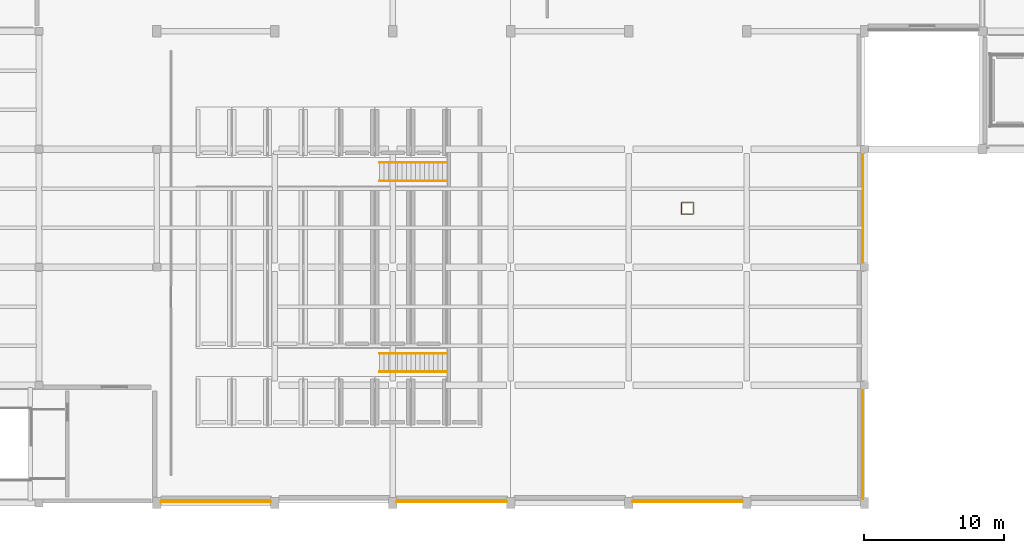
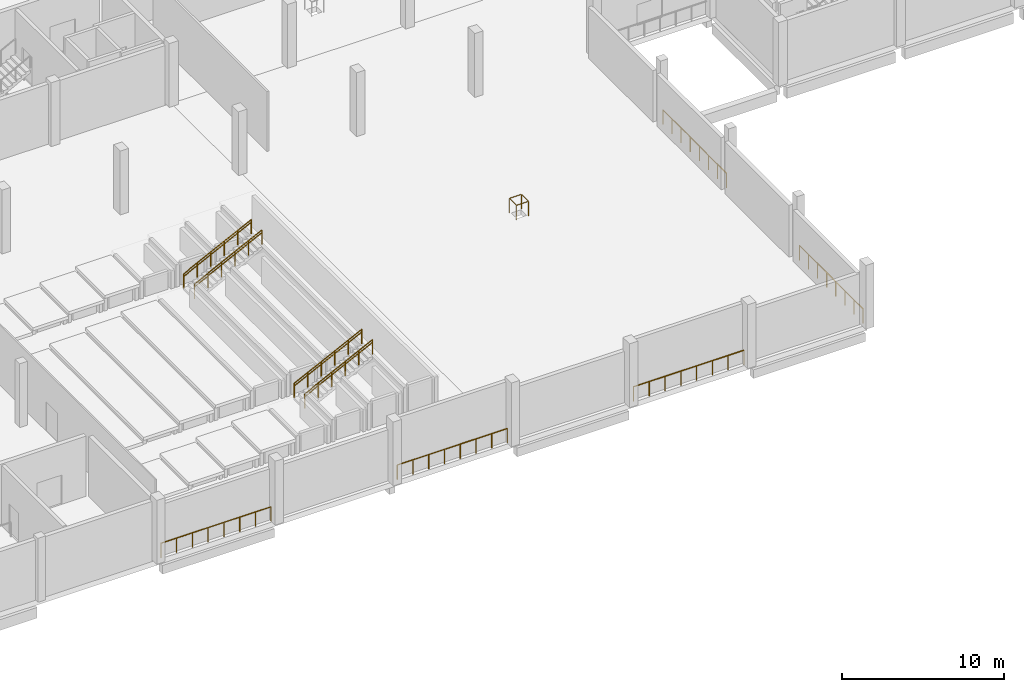
# One storey, part 51 of 63: 14 railings.
"""IFC4 building model written with IfcOpenShell, lengths in metres."""

import ifcopenshell
import ifcopenshell.guid

model = None  # the IFC model being written
_history = None  # IfcOwnerHistory: only IFC2X3 demands one
_inside = {}  # id of a spatial element -> (the spatial element, [elements in it])
_under = {}  # id of a project, library or spatial element -> (it, [spatial elements below it])
_declared = {}  # id of a project -> (the project, [libraries it declares])
_typed = {}  # id of a type object -> (the type object, [elements of that type])
_made_of = {}  # id of a material, layer set ... -> (it, [elements and type objects made of it])


def new_model(schema):
    """Start an empty IFC model of exactly this schema.

    Asked for "IFC4X3", IfcOpenShell would pick the latest addendum, in which some entities
    have other attributes; the version numbers below select the first issue.
    IFC2X3 requires an IfcOwnerHistory on every rooted entity: one is made here for all.
    """
    global model, _history
    if schema == "IFC4X3":
        model = ifcopenshell.file(schema_version=(4, 3, 0, 0))
    else:
        model = ifcopenshell.file(schema=schema)
    _inside.clear()
    _under.clear()
    _declared.clear()
    _typed.clear()
    _made_of.clear()
    _history = None
    if model.schema == "IFC2X3":
        org = make("IfcOrganization", Name="unknown")
        user = make(
            "IfcPersonAndOrganization",
            ThePerson=make("IfcPerson", FamilyName="unknown"),
            TheOrganization=org,
        )
        app = make(
            "IfcApplication",
            ApplicationDeveloper=org,
            Version="unknown",
            ApplicationFullName="unknown",
            ApplicationIdentifier="unknown",
        )
        _history = make(
            "IfcOwnerHistory",
            OwningUser=user,
            OwningApplication=app,
            ChangeAction="ADDED",
            CreationDate=0,
        )
    return model


def make(cls, **values):
    """One entity of the class cls with the attributes given. An attribute that is None is left unset."""
    return model.create_entity(
        cls, **{name: value for name, value in values.items() if value is not None}
    )


def rooted(cls, **values):
    """An entity with a GlobalId (a new one), such as an element, a storey or a relation."""
    return make(cls, GlobalId=ifcopenshell.guid.new(), OwnerHistory=_history, **values)


def si_unit(unit_type, name, prefix=None):
    """IfcSIUnit, for example si_unit("LENGTHUNIT", "METRE", prefix="MILLI")."""
    return make("IfcSIUnit", UnitType=unit_type, Prefix=prefix, Name=name)


def derived_unit(unit_type, elements):
    """IfcDerivedUnit: a product of units, each with its exponent."""
    return make(
        "IfcDerivedUnit",
        Elements=[
            make("IfcDerivedUnitElement", Unit=unit, Exponent=power)
            for unit, power in elements
        ],
        UnitType=unit_type,
    )


def assignment(units):
    """IfcUnitAssignment: the units of a project."""
    return None if units is None else make("IfcUnitAssignment", Units=units)


def point(xyz):
    """IfcCartesianPoint."""
    return None if xyz is None else make("IfcCartesianPoint", Coordinates=xyz)


def direction(xyz):
    """IfcDirection."""
    return None if xyz is None else make("IfcDirection", DirectionRatios=xyz)


def frame(location, z_axis=None, x_axis=None):
    """IfcAxis2Placement3D, a coordinate frame: its origin and axes. An axis left out is left unset."""
    return make(
        "IfcAxis2Placement3D",
        Location=point(location),
        Axis=direction(z_axis),
        RefDirection=direction(x_axis),
    )


def frame_2d(location, x_axis=None):
    """IfcAxis2Placement2D, a coordinate frame in the plane: its origin and x axis."""
    return make(
        "IfcAxis2Placement2D", Location=point(location), RefDirection=direction(x_axis)
    )


def origin():
    """The frame at (0, 0, 0) with its axes left unset."""
    return frame((0.0, 0.0, 0.0))


def origin_2d():
    """The frame at (0, 0) in the plane with its x axis left unset."""
    return frame_2d((0.0, 0.0))


def place(relative_to, where):
    """IfcLocalPlacement: puts the frame where relative to a parent placement (None: the world)."""
    return make(
        "IfcLocalPlacement", PlacementRelTo=relative_to, RelativePlacement=where
    )


def context(
    kind, dimensions, precision=None, world=None, true_north=None, identifier=None
):
    """IfcGeometricRepresentationContext, for example the 3D "Model" context."""
    return make(
        "IfcGeometricRepresentationContext",
        ContextIdentifier=identifier,
        ContextType=kind,
        CoordinateSpaceDimension=dimensions,
        Precision=precision,
        WorldCoordinateSystem=world,
        TrueNorth=true_north,
    )


def subcontext(parent, identifier, kind, view, scale=None):
    """IfcGeometricRepresentationSubContext, for example "Body" below "Model"."""
    return make(
        "IfcGeometricRepresentationSubContext",
        ContextIdentifier=identifier,
        ContextType=kind,
        ParentContext=parent,
        TargetScale=scale,
        TargetView=view,
    )


def project(units=None, contexts=None):
    """IfcProject with its units and contexts."""
    return rooted(
        "IfcProject",
        Name="project",
        RepresentationContexts=contexts,
        UnitsInContext=assignment(units),
    )


def spatial(cls, under=None, at=None, **own):
    """A site, building, storey or space (cls), placed at a placement, below another one or the project."""
    s = rooted(cls, ObjectPlacement=at, **own)
    if under is not None:
        _under.setdefault(under.id(), (under, []))[1].append(s)
    return s


def profile(cls, at=None, kind="AREA", **sizes):
    """A parametric profile (cls). Its sizes go by their IFC names, for example OverallWidth=200.0."""
    return make(cls, ProfileType=kind, Position=at, **sizes)


def circle(**sizes):
    """IfcCircleProfileDef."""
    return profile("IfcCircleProfileDef", **sizes)


def extrude(swept, where, along, depth):
    """IfcExtrudedAreaSolid: the profile swept, set in the frame where, extruded along a direction by depth."""
    return make(
        "IfcExtrudedAreaSolid",
        SweptArea=swept,
        Position=where,
        ExtrudedDirection=direction(along),
        Depth=depth,
    )


def shape(context_of_items, identifier, shape_type, items):
    """IfcShapeRepresentation: the items that make up one representation, for example the "Body"."""
    return make(
        "IfcShapeRepresentation",
        ContextOfItems=context_of_items,
        RepresentationIdentifier=identifier,
        RepresentationType=shape_type,
        Items=items,
    )


def material(Name=None, Category=None):
    """IfcMaterial."""
    return make("IfcMaterial", Name=Name, Category=Category)


def made_of(thing, what):
    """Note that an element or type object is made of a material, layer set ...; save() writes the relation."""
    if what is not None:
        _made_of.setdefault(what.id(), (what, []))[1].append(thing)
    return thing


def type_object(cls, material=None, **own):
    """A type object (cls), such as IfcWallType, which elements share."""
    return made_of(rooted(cls, **own), material)


def element(
    cls,
    number,
    at=None,
    inside=None,
    cuts=None,
    type_object=None,
    material=None,
    context=None,
    identifier="Body",
    shape_type=None,
    held_by="IfcProductDefinitionShape",
    body=None,
    shapes=None,
    **own,
):
    """One element of the class cls, such as IfcWall. Its Tag is "e" and its number.

    at: its placement. inside: the storey or other place that contains it. cuts: it is an
    opening in that element (IfcRelVoidsElement). A single representation is given by context,
    identifier, shape_type and body (its items); several are given by shapes. held_by: the class
    of the entity that holds the representations. save() writes the other relations.
    """
    e = rooted(cls, Tag="e%d" % number, ObjectPlacement=at, **own)
    if body is not None:
        shapes = [shape(context, identifier, shape_type, body)]
    if shapes is not None:
        e.Representation = make(held_by, Representations=shapes)
    if inside is not None:
        _inside.setdefault(inside.id(), (inside, []))[1].append(e)
    if cuts is not None:
        rooted(
            "IfcRelVoidsElement", RelatingBuildingElement=cuts, RelatedOpeningElement=e
        )
    if type_object is not None:
        _typed.setdefault(type_object.id(), (type_object, []))[1].append(e)
    return made_of(e, material)


def aggregate(whole, parts):
    """IfcRelAggregates: a whole, such as a stair, and the parts it consists of."""
    return rooted("IfcRelAggregates", RelatingObject=whole, RelatedObjects=parts)


def save(model, path):
    """Write the relations noted so far, then the file.

    IfcRelAggregates (storeys below a building ...), IfcRelContainedInSpatialStructure (elements
    in a storey), IfcRelDefinesByType, IfcRelAssociatesMaterial and IfcRelDeclares: one each for
    every whole, place, type object, material and project.
    """
    for whole, parts in _under.values():
        aggregate(whole, parts)
    for where, things in _inside.values():
        rooted(
            "IfcRelContainedInSpatialStructure",
            RelatedElements=things,
            RelatingStructure=where,
        )
    for kind, things in _typed.values():
        rooted("IfcRelDefinesByType", RelatedObjects=things, RelatingType=kind)
    for what, things in _made_of.values():
        rooted("IfcRelAssociatesMaterial", RelatedObjects=things, RelatingMaterial=what)
    for by, libraries in _declared.values():
        rooted("IfcRelDeclares", RelatingContext=by, RelatedDefinitions=libraries)
    model.write(path)


model = new_model("IFC4")

# Units and contexts
model_context = context("Model", 3, precision=1e-05, world=origin(), true_north=direction((0.0, 1.0)))
body_context = subcontext(model_context, "Body", "Model", "MODEL_VIEW")
ifc_project = project(units=[si_unit("LENGTHUNIT", "METRE"), si_unit("AREAUNIT", "SQUARE_METRE"), si_unit("VOLUMEUNIT", "CUBIC_METRE"), si_unit("PLANEANGLEUNIT", "RADIAN"), si_unit("MASSUNIT", "GRAM", prefix="KILO"), derived_unit("THERMALTRANSMITTANCEUNIT", [(si_unit("POWERUNIT", "WATT"), 1), (si_unit("LENGTHUNIT", "METRE"), -2), (si_unit("THERMODYNAMICTEMPERATUREUNIT", "KELVIN"), -1)])], contexts=[model_context])

# Site, building, storey
site_placement = place(None, origin())
site = spatial("IfcSite", under=ifc_project, at=site_placement, CompositionType="ELEMENT")
building_placement = place(site_placement, origin())
building = spatial("IfcBuilding", under=site, at=building_placement, Name="Elbkamm Science Centre", CompositionType="ELEMENT")
storey_placement = place(building_placement, frame((0.0, 0.0, 5.10009765625)))
storey = spatial("IfcBuildingStorey", under=building, at=storey_placement, Name="L01", CompositionType="ELEMENT", Elevation=5.10009765625)

# Railings
ifc_material = material(Name="Stainless steel EN 1.4401", Category="steel")
railing_type_1 = type_object("IfcRailingType", Name="RAIL-EXT-GUARD-1100", PredefinedType="GUARDRAIL", material=ifc_material)
railing_1_placement = place(storey_placement, frame((117.5, 24.919921875, 0.0)))
element("IfcRailing", 1, at=railing_1_placement, inside=storey, type_object=railing_type_1, Name="L01 Slab Edge Perimeter Guard 034", PredefinedType="GUARDRAIL", context=body_context, shape_type="SweptSolid", body=[
    extrude(circle(Radius=0.02392578125, at=origin_2d()), frame((0.0, 0.0, 1.078125), z_axis=(0.0, -1.0, 0.0), x_axis=(1.0, 0.0, 0.0)), (0.0, 0.0, 1.0), 7.83984375),
    extrude(circle(Radius=0.02001953125, at=origin_2d()), origin(), (0.0, 0.0, 1.0), 1.048095703125),
    extrude(circle(Radius=0.02001953125, at=origin_2d()), frame((0.0, -1.119873046875, 0.0)), (0.0, 0.0, 1.0), 1.048095703125),
    extrude(circle(Radius=0.02001953125, at=origin_2d()), frame((0.0, -2.239990234375, 0.0)), (0.0, 0.0, 1.0), 1.048095703125),
    extrude(circle(Radius=0.02001953125, at=origin_2d()), frame((0.0, -3.35986328125, 0.0)), (0.0, 0.0, 1.0), 1.048095703125),
    extrude(circle(Radius=0.02001953125, at=origin_2d()), frame((0.0, -4.47998046875, 0.0)), (0.0, 0.0, 1.0), 1.048095703125),
    extrude(circle(Radius=0.02001953125, at=origin_2d()), frame((0.0, -5.599853515625, 0.0)), (0.0, 0.0, 1.0), 1.048095703125),
    extrude(circle(Radius=0.02001953125, at=origin_2d()), frame((0.0, -6.719970703125, 0.0)), (0.0, 0.0, 1.0), 1.048095703125),
    extrude(circle(Radius=0.02001953125, at=origin_2d()), frame((0.0, -7.83984375, 0.0)), (0.0, 0.0, 1.0), 1.048095703125),
])
railing_2_placement = place(storey_placement, frame((117.5, 8.1201171875, 0.0)))
element("IfcRailing", 2, at=railing_2_placement, inside=storey, type_object=railing_type_1, Name="L01 Slab Edge Perimeter Guard 035", PredefinedType="GUARDRAIL", context=body_context, shape_type="SweptSolid", body=[
    extrude(circle(Radius=0.02392578125, at=origin_2d()), frame((0.0, 0.0, 1.078125), z_axis=(0.0, -1.0, 0.0), x_axis=(1.0, 0.0, 0.0)), (0.0, 0.0, 1.0), 7.840087890625),
    extrude(circle(Radius=0.02001953125, at=origin_2d()), origin(), (0.0, 0.0, 1.0), 1.048095703125),
    extrude(circle(Radius=0.02001953125, at=origin_2d()), frame((0.0, -1.1201171875, 0.0)), (0.0, 0.0, 1.0), 1.048095703125),
    extrude(circle(Radius=0.02001953125, at=origin_2d()), frame((0.0, -2.239990234375, 0.0)), (0.0, 0.0, 1.0), 1.048095703125),
    extrude(circle(Radius=0.02001953125, at=origin_2d()), frame((0.0, -3.360107421875, 0.0)), (0.0, 0.0, 1.0), 1.048095703125),
    extrude(circle(Radius=0.02001953125, at=origin_2d()), frame((0.0, -4.47998046875, 0.0)), (0.0, 0.0, 1.0), 1.048095703125),
    extrude(circle(Radius=0.02001953125, at=origin_2d()), frame((0.0, -5.60009765625, 0.0)), (0.0, 0.0, 1.0), 1.048095703125),
    extrude(circle(Radius=0.02001953125, at=origin_2d()), frame((0.0, -6.719970703125, 0.0)), (0.0, 0.0, 1.0), 1.048095703125),
    extrude(circle(Radius=0.02001953125, at=origin_2d()), frame((0.0, -7.840087890625, 0.0)), (0.0, 0.0, 1.0), 1.048095703125),
])
railing_3_placement = place(storey_placement, frame((108.919921875, 0.10009765625, 0.0)))
element("IfcRailing", 3, at=railing_3_placement, inside=storey, type_object=railing_type_1, Name="L01 Slab Edge Perimeter Guard 036", PredefinedType="GUARDRAIL", context=body_context, shape_type="SweptSolid", body=[
    extrude(circle(Radius=0.02392578125, at=origin_2d()), frame((0.0, 0.0, 1.078125), z_axis=(-1.0, 0.0, 0.0), x_axis=(0.0, -1.0, 0.0)), (0.0, 0.0, 1.0), 7.83984375),
    extrude(circle(Radius=0.02001953125, at=origin_2d()), origin(), (0.0, 0.0, 1.0), 1.048095703125),
    extrude(circle(Radius=0.02001953125, at=origin_2d()), frame((-1.119873046875, 0.0, 0.0)), (0.0, 0.0, 1.0), 1.048095703125),
    extrude(circle(Radius=0.02001953125, at=origin_2d()), frame((-2.239990234375, 0.0, 0.0)), (0.0, 0.0, 1.0), 1.048095703125),
    extrude(circle(Radius=0.02001953125, at=origin_2d()), frame((-3.35986328125, 0.0, 0.0)), (0.0, 0.0, 1.0), 1.048095703125),
    extrude(circle(Radius=0.02001953125, at=origin_2d()), frame((-4.47998046875, 0.0, 0.0)), (0.0, 0.0, 1.0), 1.048095703125),
    extrude(circle(Radius=0.02001953125, at=origin_2d()), frame((-5.599853515625, 0.0, 0.0)), (0.0, 0.0, 1.0), 1.048095703125),
    extrude(circle(Radius=0.02001953125, at=origin_2d()), frame((-6.719970703125, 0.0, 0.0)), (0.0, 0.0, 1.0), 1.048095703125),
    extrude(circle(Radius=0.02001953125, at=origin_2d()), frame((-7.83984375, 0.0, 0.0)), (0.0, 0.0, 1.0), 1.048095703125),
])
for number, where, name in (
    (4, (92.1201171875, 0.10009765625, 0.0), "L01 Slab Edge Perimeter Guard 037"),
    (5, (75.320068359375, 0.10009765625, 0.0), "L01 Slab Edge Perimeter Guard 038"),
):
    element("IfcRailing", number, at=place(storey_placement, frame(where)), inside=storey, type_object=railing_type_1, Name=name, PredefinedType="GUARDRAIL", context=body_context, shape_type="SweptSolid", body=[
        extrude(circle(Radius=0.02392578125, at=origin_2d()), frame((0.0, 0.0, 1.078125), z_axis=(-1.0, 0.0, 0.0), x_axis=(0.0, -1.0, 0.0)), (0.0, 0.0, 1.0), 7.840087890625),
        extrude(circle(Radius=0.02001953125, at=origin_2d()), origin(), (0.0, 0.0, 1.0), 1.048095703125),
        extrude(circle(Radius=0.02001953125, at=origin_2d()), frame((-1.1201171875, 0.0, 0.0)), (0.0, 0.0, 1.0), 1.048095703125),
        extrude(circle(Radius=0.02001953125, at=origin_2d()), frame((-2.239990234375, 0.0, 0.0)), (0.0, 0.0, 1.0), 1.048095703125),
        extrude(circle(Radius=0.02001953125, at=origin_2d()), frame((-3.360107421875, 0.0, 0.0)), (0.0, 0.0, 1.0), 1.048095703125),
        extrude(circle(Radius=0.02001953125, at=origin_2d()), frame((-4.47998046875, 0.0, 0.0)), (0.0, 0.0, 1.0), 1.048095703125),
        extrude(circle(Radius=0.02001953125, at=origin_2d()), frame((-5.60009765625, 0.0, 0.0)), (0.0, 0.0, 1.0), 1.048095703125),
        extrude(circle(Radius=0.02001953125, at=origin_2d()), frame((-6.719970703125, 0.0, 0.0)), (0.0, 0.0, 1.0), 1.048095703125),
        extrude(circle(Radius=0.02001953125, at=origin_2d()), frame((-7.840087890625, 0.0, 0.0)), (0.0, 0.0, 1.0), 1.048095703125),
    ])
railing_type_2 = type_object("IfcRailingType", Name="RAIL-GUARD-1100", PredefinedType="GUARDRAIL", material=ifc_material)
for number, where, name in (
    (6, (83.050048828125, 9.35009765625, 0.159912109375), "Theatre Aisle Stair 1 Guard L"),
    (7, (83.050048828125, 10.64990234375, 0.159912109375), "Theatre Aisle Stair 1 Guard R"),
    (8, (83.050048828125, 22.949951171875, 0.159912109375), "Theatre Aisle Stair 2 Guard L"),
    (9, (83.050048828125, 24.25, 0.159912109375), "Theatre Aisle Stair 2 Guard R"),
):
    element("IfcRailing", number, at=place(storey_placement, frame(where)), inside=storey, type_object=railing_type_2, Name=name, PredefinedType="GUARDRAIL", context=body_context, shape_type="SweptSolid", body=[
        extrude(circle(Radius=0.02392578125, at=origin_2d()), frame((0.0, 0.0, 1.078125), z_axis=(0.894436289399, 0.0, 0.44719539824), x_axis=(0.0, 1.0, 0.0)), (0.0, 0.0, 1.0), 5.366455078125),
        extrude(circle(Radius=0.02001953125, at=origin_2d()), origin(), (0.0, 0.0, 1.0), 1.048095703125),
        extrude(circle(Radius=0.02001953125, at=origin_2d()), frame((0.9599609375, 0.0, 0.47998046875)), (0.0, 0.0, 1.0), 1.048095703125),
        extrude(circle(Radius=0.02001953125, at=origin_2d()), frame((1.919921875, 0.0, 0.9599609375)), (0.0, 0.0, 1.0), 1.048095703125),
        extrude(circle(Radius=0.02001953125, at=origin_2d()), frame((2.880126953125, 0.0, 1.43994140625)), (0.0, 0.0, 1.0), 1.048095703125),
        extrude(circle(Radius=0.02001953125, at=origin_2d()), frame((3.840087890625, 0.0, 1.919921875)), (0.0, 0.0, 1.0), 1.048095703125),
        extrude(circle(Radius=0.02001953125, at=origin_2d()), frame((4.800048828125, 0.0, 2.39990234375)), (0.0, 0.0, 1.0), 1.048095703125),
    ])
railing_4_placement = place(storey_placement, frame((104.570068359375, 20.570068359375, 0.0)))
element("IfcRailing", 10, at=railing_4_placement, inside=storey, type_object=railing_type_2, Name="L01 Service Riser Opening Guardrail 011", PredefinedType="GUARDRAIL", context=body_context, shape_type="SweptSolid", body=[
    extrude(circle(Radius=0.02392578125, at=origin_2d()), frame((0.0, 0.0, 1.078125), z_axis=(1.0, 0.0, 0.0), x_axis=(0.0, 1.0, 0.0)), (0.0, 0.0, 1.0), 0.829833984375),
    extrude(circle(Radius=0.02392578125, at=origin_2d()), frame((0.85986328125, 0.030029296875, 1.078125), z_axis=(0.0, 1.0, 0.0), x_axis=(-1.0, 0.0, 0.0)), (0.0, 0.0, 1.0), 0.7998046875),
    extrude(circle(Radius=0.02392578125, at=origin_2d()), frame((0.829833984375, 0.85986328125, 1.078125), z_axis=(-1.0, 0.0, 0.0), x_axis=(0.0, -1.0, 0.0)), (0.0, 0.0, 1.0), 0.7998046875),
    extrude(circle(Radius=0.02392578125, at=origin_2d()), frame((0.0, 0.829833984375, 1.078125), z_axis=(0.0, -1.0, 0.0), x_axis=(1.0, 0.0, 0.0)), (0.0, 0.0, 1.0), 0.829833984375),
    extrude(circle(Radius=0.02001953125, at=origin_2d()), origin(), (0.0, 0.0, 1.0), 1.048095703125),
    extrude(circle(Radius=0.02001953125, at=origin_2d()), frame((0.85986328125, 0.0, 0.0)), (0.0, 0.0, 1.0), 1.048095703125),
    extrude(circle(Radius=0.02001953125, at=origin_2d()), frame((0.85986328125, 0.85986328125, 0.0)), (0.0, 0.0, 1.0), 1.048095703125),
    extrude(circle(Radius=0.02001953125, at=origin_2d()), frame((0.0, 0.85986328125, 0.0)), (0.0, 0.0, 1.0), 1.048095703125),
])
railing_type_3 = type_object("IfcRailingType", Name="RAIL-HAND-900", PredefinedType="HANDRAIL", material=ifc_material)
for number, where, name in (
    (11, (83.050048828125, 9.35009765625, 0.159912109375), "Theatre Aisle Stair 1 Handrail L"),
    (12, (83.050048828125, 10.64990234375, 0.159912109375), "Theatre Aisle Stair 1 Handrail R"),
    (13, (83.050048828125, 22.949951171875, 0.159912109375), "Theatre Aisle Stair 2 Handrail L"),
    (14, (83.050048828125, 24.25, 0.159912109375), "Theatre Aisle Stair 2 Handrail R"),
):
    element("IfcRailing", number, at=place(storey_placement, frame(where)), inside=storey, type_object=railing_type_3, Name=name, PredefinedType="HANDRAIL", context=body_context, shape_type="SweptSolid", body=[
        extrude(circle(Radius=0.02392578125, at=origin_2d()), frame((0.0, 0.0, 0.8779296875), z_axis=(0.894436289399, 0.0, 0.44719539824), x_axis=(0.0, 1.0, 0.0)), (0.0, 0.0, 1.0), 5.366455078125),
        extrude(circle(Radius=0.02001953125, at=origin_2d()), origin(), (0.0, 0.0, 1.0), 0.847900390625),
        extrude(circle(Radius=0.02001953125, at=origin_2d()), frame((0.9599609375, 0.0, 0.47998046875)), (0.0, 0.0, 1.0), 0.847900390625),
        extrude(circle(Radius=0.02001953125, at=origin_2d()), frame((1.919921875, 0.0, 0.9599609375)), (0.0, 0.0, 1.0), 0.847900390625),
        extrude(circle(Radius=0.02001953125, at=origin_2d()), frame((2.880126953125, 0.0, 1.43994140625)), (0.0, 0.0, 1.0), 0.847900390625),
        extrude(circle(Radius=0.02001953125, at=origin_2d()), frame((3.840087890625, 0.0, 1.919921875)), (0.0, 0.0, 1.0), 0.847900390625),
        extrude(circle(Radius=0.02001953125, at=origin_2d()), frame((4.800048828125, 0.0, 2.39990234375)), (0.0, 0.0, 1.0), 0.847900390625),
    ])

save(model, "model.ifc")
